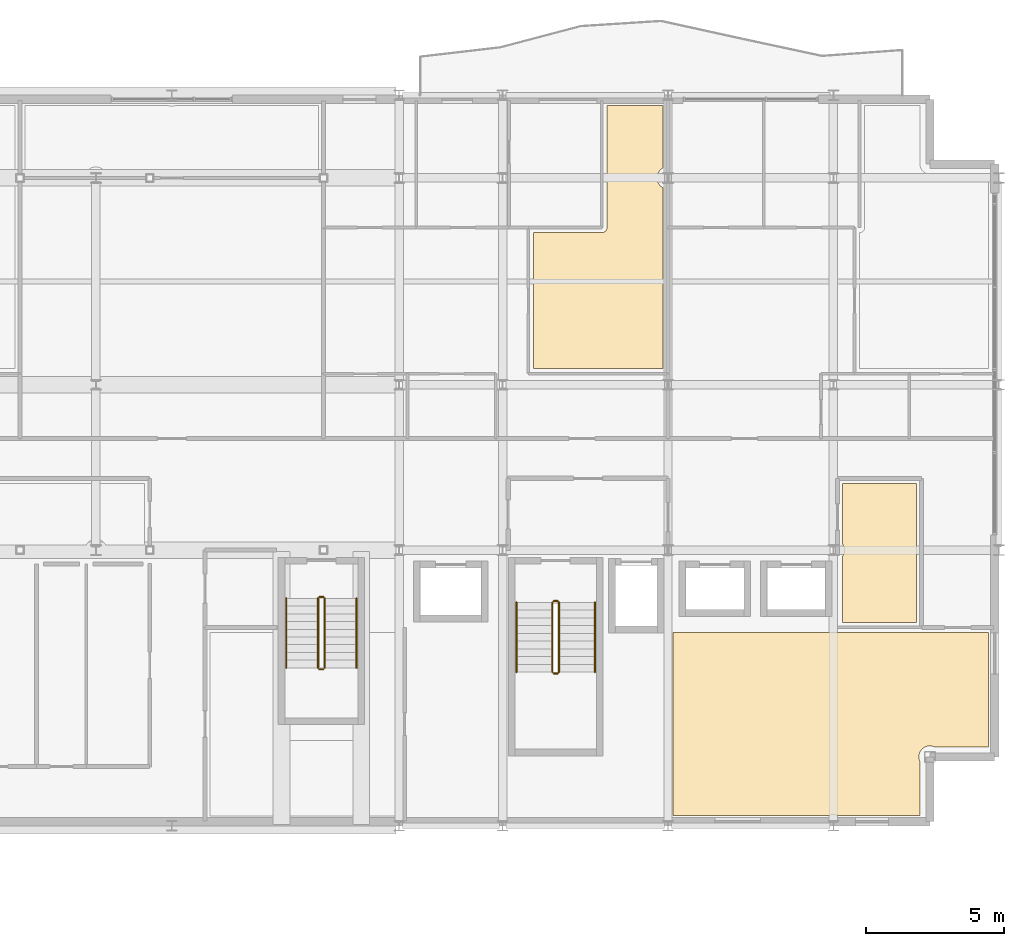
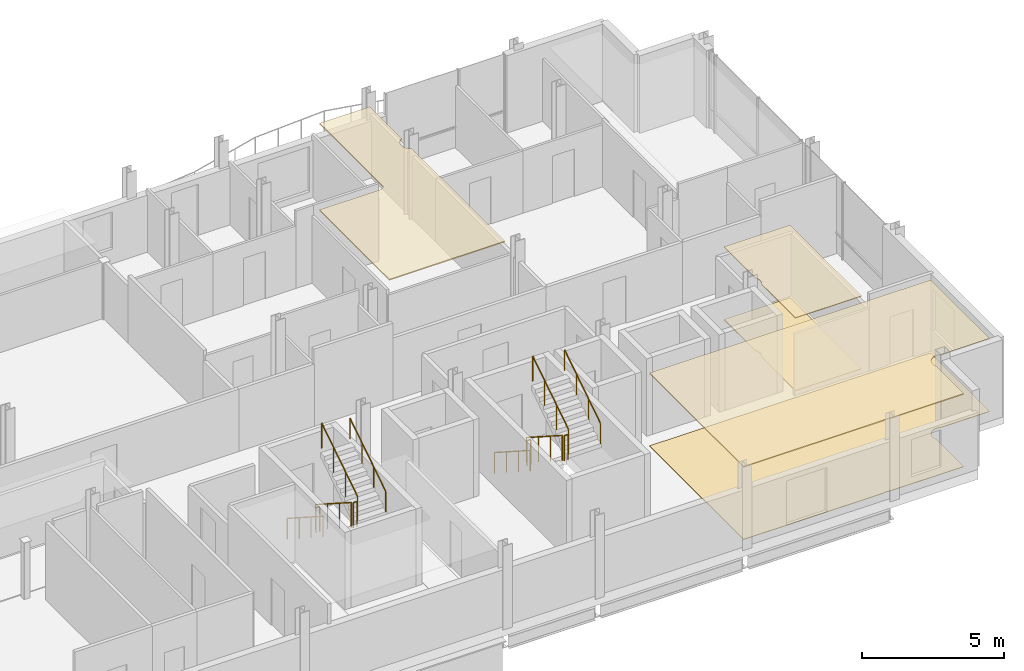
# One storey, part 34 of 35: 12 railings, 5 coverings.
"""IFC4 building model written with IfcOpenShell, lengths in metres."""

from ifc_helpers import new_model, si_unit, direction, frame, origin, origin_2d, place, context, subcontext, project, spatial, polyline, circle, outline, extrude, material, layer, layer_set, type_object, element, save


model = new_model("IFC4")

# Units and contexts
model_context = context("Model", 3, precision=1e-05, world=origin(), true_north=direction((0.0, 1.0)))
body_context = subcontext(model_context, "Body", "Model", "MODEL_VIEW")
ifc_project = project(units=[si_unit("LENGTHUNIT", "METRE"), si_unit("AREAUNIT", "SQUARE_METRE"), si_unit("VOLUMEUNIT", "CUBIC_METRE"), si_unit("PLANEANGLEUNIT", "RADIAN"), si_unit("MASSUNIT", "GRAM", prefix="KILO")], contexts=[model_context])

# Site, building, storey
site_placement = place(None, origin())
site = spatial("IfcSite", under=ifc_project, at=site_placement, CompositionType="ELEMENT")
building_placement = place(site_placement, origin())
building = spatial("IfcBuilding", under=site, at=building_placement, Name="Brevholm Reach", CompositionType="ELEMENT")
storey_placement = place(building_placement, frame((0.0, 0.0, 214.39990234375)))
storey = spatial("IfcBuildingStorey", under=building, at=storey_placement, Name="L65", CompositionType="ELEMENT", Elevation=214.39990234375)

# Coverings
ifc_material_1 = material(Name="Perforated Mineral-Fibre Class-A Acoustic Suspended Ceiling", Category="gypsum")
ifc_layer_1 = layer(ifc_material_1, 0.044921875)
ifc_layer_set_1 = layer_set([ifc_layer_1], Name="Perforated Mineral-Fibre Class-A Acoustic Suspended Ceiling")
covering_type_1 = type_object("IfcCoveringType", Name="COV-CLG-AC", PredefinedType="CEILING", material=ifc_layer_set_1)
covering_1_placement = place(storey_placement, frame((0.0, 0.0, 3.114990234375)))
element("IfcCovering", 1, at=covering_1_placement, inside=storey, type_object=covering_type_1, Name="L65 Suspended Ceiling L65-39", PredefinedType="CEILING", context=body_context, shape_type="SweptSolid", body=[
    extrude(outline(polyline([(48.179931640625, 7.02001953125), (54.11279296875, 7.02001953125), (54.114990234375, 7.01953125), (54.13232421875, 7.016845703125), (54.14990234375, 7.01611328125), (59.6201171875, 7.01611328125), (59.6201171875, 2.860107421875), (57.67333984375, 2.860107421875), (57.653076171875, 2.86962890625), (57.6162109375, 2.8828125), (57.577880859375, 2.892333984375), (57.539306640625, 2.898193359375), (57.5, 2.89990234375), (57.460693359375, 2.898193359375), (57.422119140625, 2.892333984375), (57.3837890625, 2.8828125), (57.346923828125, 2.86962890625), (57.311279296875, 2.852783203125), (57.27783203125, 2.83251953125), (57.24609375, 2.80908203125), (57.21728515625, 2.78271484375), (57.19091796875, 2.75390625), (57.16748046875, 2.72216796875), (57.147216796875, 2.688720703125), (57.13037109375, 2.653076171875), (57.1171875, 2.6162109375), (57.107666015625, 2.577880859375), (57.101806640625, 2.539306640625), (57.10009765625, 2.5), (57.101806640625, 2.460693359375), (57.107666015625, 2.422119140625), (57.1171875, 2.3837890625), (57.13037109375, 2.346923828125), (57.139892578125, 2.32666015625), (57.139892578125, 0.3798828125), (54.123779296875, 0.3798828125), (54.1162109375, 0.3828125), (54.077880859375, 0.392333984375), (54.039306640625, 0.398193359375), (54.0, 0.39990234375), (53.960693359375, 0.398193359375), (53.922119140625, 0.392333984375), (53.8837890625, 0.3828125), (53.876220703125, 0.3798828125), (48.179931640625, 0.3798828125), (48.179931640625, 7.02001953125)])), origin(), (0.0, 0.0, 1.0), 0.045166015625),
])
covering_2_placement = place(storey_placement, frame((0.0, 0.0, 3.114990234375)))
element("IfcCovering", 2, at=covering_2_placement, inside=storey, type_object=covering_type_1, Name="L65 Suspended Ceiling L65-54", PredefinedType="CEILING", context=body_context, shape_type="SweptSolid", body=[
    extrude(outline(polyline([(43.114990234375, 21.51611328125), (45.60400390625, 21.51708984375), (45.62158203125, 21.51806640625), (45.638916015625, 21.520751953125), (45.656005859375, 21.52490234375), (45.672607421875, 21.531005859375), (45.688720703125, 21.53857421875), (45.703857421875, 21.547607421875), (45.718017578125, 21.55810546875), (45.731201171875, 21.56982421875), (45.742919921875, 21.5830078125), (45.75341796875, 21.59716796875), (45.762451171875, 21.6123046875), (45.77001953125, 21.62841796875), (45.77587890625, 21.64501953125), (45.7802734375, 21.662109375), (45.782958984375, 21.679443359375), (45.78369140625, 21.697265625), (45.784912109375, 26.1201171875), (47.820068359375, 26.1201171875), (47.820068359375, 23.856689453125), (47.811279296875, 23.852783203125), (47.77783203125, 23.83251953125), (47.74609375, 23.80908203125), (47.71728515625, 23.78271484375), (47.69091796875, 23.75390625), (47.66748046875, 23.72216796875), (47.647216796875, 23.688720703125), (47.63037109375, 23.653076171875), (47.6171875, 23.6162109375), (47.607666015625, 23.577880859375), (47.601806640625, 23.539306640625), (47.60009765625, 23.5), (47.601806640625, 23.460693359375), (47.607666015625, 23.422119140625), (47.6171875, 23.3837890625), (47.63037109375, 23.346923828125), (47.647216796875, 23.311279296875), (47.66748046875, 23.27783203125), (47.69091796875, 23.24609375), (47.71728515625, 23.21728515625), (47.74609375, 23.19091796875), (47.77783203125, 23.16748046875), (47.811279296875, 23.147216796875), (47.820068359375, 23.143310546875), (47.820068359375, 16.580078125), (43.114990234375, 16.580078125), (43.114990234375, 21.51611328125)])), origin(), (0.0, 0.0, 1.0), 0.045166015625),
])
ifc_material_2 = material(Name="Moisture-Resistant Skimmed Gypsum Plasterboard Ceiling", Category="gypsum")
ifc_layer_2 = layer(ifc_material_2, 0.030029296875)
ifc_layer_set_2 = layer_set([ifc_layer_2], Name="Moisture-Resistant Skimmed Gypsum Plasterboard Ceiling")
covering_type_2 = type_object("IfcCoveringType", Name="COV-CLG-GYP", PredefinedType="CEILING", material=ifc_layer_set_2)
covering_3_placement = place(storey_placement, frame((0.0, 0.0, 3.130126953125)))
element("IfcCovering", 3, at=covering_3_placement, inside=storey, type_object=covering_type_2, Name="L65 Suspended Ceiling L65-21", PredefinedType="CEILING", context=body_context, shape_type="SweptSolid", body=[
    extrude(outline(polyline([(54.330078125, 9.7626953125), (54.33056640625, 9.764892578125), (54.33251953125, 9.777587890625), (54.33251953125, 9.77783203125), (54.352783203125, 9.811279296875), (54.36962890625, 9.846923828125), (54.3828125, 9.8837890625), (54.392333984375, 9.922119140625), (54.398193359375, 9.960693359375), (54.39990234375, 10.0), (54.398193359375, 10.039306640625), (54.392333984375, 10.077880859375), (54.3828125, 10.1162109375), (54.36962890625, 10.153076171875), (54.352783203125, 10.188720703125), (54.333984375, 10.219970703125), (54.333984375, 12.419921875), (57.02001953125, 12.419921875), (57.02001953125, 7.3798828125), (54.330078125, 7.3798828125), (54.330078125, 9.7626953125)])), origin(), (0.0, 0.0, 1.0), 0.030029296875),
])
ifc_material_3 = material(Name="Engineered European Oak Acoustic Plank Flooring", Category="timber")
ifc_layer_3 = layer(ifc_material_3, 0.02197265625)
ifc_layer_set_3 = layer_set([ifc_layer_3], Name="Engineered European Oak Acoustic Plank Flooring")
covering_type_3 = type_object("IfcCoveringType", Name="COV-FLR-OAK", PredefinedType="FLOORING", material=ifc_layer_set_3)
covering_4_placement = place(storey_placement, origin())
element("IfcCovering", 4, at=covering_4_placement, inside=storey, type_object=covering_type_3, Name="L65 Floor Finish L65-39", PredefinedType="FLOORING", context=body_context, shape_type="SweptSolid", body=[
    extrude(outline(polyline([(48.179931640625, 7.02001953125), (54.11279296875, 7.02001953125), (54.114990234375, 7.01953125), (54.13232421875, 7.016845703125), (54.14990234375, 7.01611328125), (59.6201171875, 7.01611328125), (59.6201171875, 2.860107421875), (57.67333984375, 2.860107421875), (57.653076171875, 2.86962890625), (57.6162109375, 2.8828125), (57.577880859375, 2.892333984375), (57.539306640625, 2.898193359375), (57.5, 2.89990234375), (57.460693359375, 2.898193359375), (57.422119140625, 2.892333984375), (57.3837890625, 2.8828125), (57.346923828125, 2.86962890625), (57.311279296875, 2.852783203125), (57.27783203125, 2.83251953125), (57.24609375, 2.80908203125), (57.21728515625, 2.78271484375), (57.19091796875, 2.75390625), (57.16748046875, 2.72216796875), (57.147216796875, 2.688720703125), (57.13037109375, 2.653076171875), (57.1171875, 2.6162109375), (57.107666015625, 2.577880859375), (57.101806640625, 2.539306640625), (57.10009765625, 2.5), (57.101806640625, 2.460693359375), (57.107666015625, 2.422119140625), (57.1171875, 2.3837890625), (57.13037109375, 2.346923828125), (57.139892578125, 2.32666015625), (57.139892578125, 0.3798828125), (54.123779296875, 0.3798828125), (54.1162109375, 0.3828125), (54.077880859375, 0.392333984375), (54.039306640625, 0.398193359375), (54.0, 0.39990234375), (53.960693359375, 0.398193359375), (53.922119140625, 0.392333984375), (53.8837890625, 0.3828125), (53.876220703125, 0.3798828125), (48.179931640625, 0.3798828125), (48.179931640625, 7.02001953125)])), origin(), (0.0, 0.0, 1.0), 0.022216796875),
])
ifc_material_4 = material(Name="Honed Portland-Aggregate Resin Terrazzo Flooring", Category="concrete")
ifc_layer_4 = layer(ifc_material_4, 0.031982421875)
ifc_layer_set_4 = layer_set([ifc_layer_4], Name="Honed Portland-Aggregate Resin Terrazzo Flooring")
covering_type_4 = type_object("IfcCoveringType", Name="COV-FLR-TRZ", PredefinedType="FLOORING", material=ifc_layer_set_4)
covering_5_placement = place(storey_placement, origin())
element("IfcCovering", 5, at=covering_5_placement, inside=storey, type_object=covering_type_4, Name="L65 Floor Finish L65-21", PredefinedType="FLOORING", context=body_context, shape_type="SweptSolid", body=[
    extrude(outline(polyline([(54.330078125, 9.7626953125), (54.33056640625, 9.764892578125), (54.33251953125, 9.777587890625), (54.33251953125, 9.77783203125), (54.352783203125, 9.811279296875), (54.36962890625, 9.846923828125), (54.3828125, 9.8837890625), (54.392333984375, 9.922119140625), (54.398193359375, 9.960693359375), (54.39990234375, 10.0), (54.398193359375, 10.039306640625), (54.392333984375, 10.077880859375), (54.3828125, 10.1162109375), (54.36962890625, 10.153076171875), (54.352783203125, 10.188720703125), (54.333984375, 10.219970703125), (54.333984375, 12.419921875), (57.02001953125, 12.419921875), (57.02001953125, 7.3798828125), (54.330078125, 7.3798828125), (54.330078125, 9.7626953125)])), origin(), (0.0, 0.0, 1.0), 0.031982421875),
])

# Railings
ifc_material_5 = material(Name="Brushed Stainless Steel EN 1.4401 Continuous Handrail", Category="steel")
railing_type_1 = type_object("IfcRailingType", Name="RAL-HND-950", PredefinedType="HANDRAIL", material=ifc_material_5)
railing_1_placement = place(storey_placement, frame((42.5, 8.10009765625, 0.18017578125)))
element("IfcRailing", 6, at=railing_1_placement, inside=storey, type_object=railing_type_1, Name="L65 ST-2 stair handrail 1", PredefinedType="HANDRAIL", context=body_context, shape_type="SweptSolid", body=[
    extrude(circle(Radius=0.02392578125, at=origin_2d()), frame((0.0, 0.0, 0.8857421875), z_axis=(0.0, -0.841199657755, 0.540724639528), x_axis=(1.0, 0.0, 0.0)), (0.0, 0.0, 1.0), 2.995849609375),
    extrude(circle(Radius=0.02099609375, at=origin_2d()), origin(), (0.0, 0.0, 1.0), 0.86181640625),
    extrude(circle(Radius=0.02099609375, at=origin_2d()), frame((0.0, -0.840087890625, 0.5400390625)), (0.0, 0.0, 1.0), 0.86181640625),
    extrude(circle(Radius=0.02099609375, at=origin_2d()), frame((0.0, -1.679931640625, 1.079833984375)), (0.0, 0.0, 1.0), 0.86181640625),
    extrude(circle(Radius=0.02099609375, at=origin_2d()), frame((0.0, -2.52001953125, 1.619873046875)), (0.0, 0.0, 1.0), 0.86181640625),
])
railing_2_placement = place(storey_placement, frame((45.35009765625, 5.580078125, 1.97998046875)))
element("IfcRailing", 7, at=railing_2_placement, inside=storey, type_object=railing_type_1, Name="L65 ST-2 stair handrail 2", PredefinedType="HANDRAIL", context=body_context, shape_type="SweptSolid", body=[
    extrude(circle(Radius=0.02392578125, at=origin_2d()), frame((0.0, 0.0, 0.8857421875), z_axis=(0.0, 0.841162588446, 0.540782303519), x_axis=(-1.0, 0.0, 0.0)), (0.0, 0.0, 1.0), 2.995849609375),
    extrude(circle(Radius=0.02099609375, at=origin_2d()), origin(), (0.0, 0.0, 1.0), 0.86181640625),
    extrude(circle(Radius=0.02099609375, at=origin_2d()), frame((0.0, 0.840087890625, 0.5400390625)), (0.0, 0.0, 1.0), 0.86181640625),
    extrude(circle(Radius=0.02099609375, at=origin_2d()), frame((0.0, 1.679931640625, 1.080078125)), (0.0, 0.0, 1.0), 0.86181640625),
    extrude(circle(Radius=0.02099609375, at=origin_2d()), frame((0.0, 2.52001953125, 1.6201171875)), (0.0, 0.0, 1.0), 0.86181640625),
])
railing_3_placement = place(storey_placement, frame((34.14990234375, 8.25, 0.18017578125)))
element("IfcRailing", 8, at=railing_3_placement, inside=storey, type_object=railing_type_1, Name="L65 ST-3 stair handrail 1", PredefinedType="HANDRAIL", context=body_context, shape_type="SweptSolid", body=[
    extrude(circle(Radius=0.02392578125, at=origin_2d()), frame((0.0, 0.0, 0.8857421875), z_axis=(0.0, -0.841199657755, 0.540724639528), x_axis=(1.0, 0.0, 0.0)), (0.0, 0.0, 1.0), 2.995849609375),
    extrude(circle(Radius=0.02099609375, at=origin_2d()), origin(), (0.0, 0.0, 1.0), 0.86181640625),
    extrude(circle(Radius=0.02099609375, at=origin_2d()), frame((0.0, -0.840087890625, 0.5400390625)), (0.0, 0.0, 1.0), 0.86181640625),
    extrude(circle(Radius=0.02099609375, at=origin_2d()), frame((0.0, -1.679931640625, 1.079833984375)), (0.0, 0.0, 1.0), 0.86181640625),
    extrude(circle(Radius=0.02099609375, at=origin_2d()), frame((0.0, -2.52001953125, 1.619873046875)), (0.0, 0.0, 1.0), 0.86181640625),
])
railing_4_placement = place(storey_placement, frame((36.699951171875, 5.72998046875, 1.97998046875)))
element("IfcRailing", 9, at=railing_4_placement, inside=storey, type_object=railing_type_1, Name="L65 ST-3 stair handrail 2", PredefinedType="HANDRAIL", context=body_context, shape_type="SweptSolid", body=[
    extrude(circle(Radius=0.02392578125, at=origin_2d()), frame((0.0, 0.0, 0.8857421875), z_axis=(0.0, 0.841162588446, 0.540782303519), x_axis=(-1.0, 0.0, 0.0)), (0.0, 0.0, 1.0), 2.995849609375),
    extrude(circle(Radius=0.02099609375, at=origin_2d()), origin(), (0.0, 0.0, 1.0), 0.86181640625),
    extrude(circle(Radius=0.02099609375, at=origin_2d()), frame((0.0, 0.840087890625, 0.5400390625)), (0.0, 0.0, 1.0), 0.86181640625),
    extrude(circle(Radius=0.02099609375, at=origin_2d()), frame((0.0, 1.679931640625, 1.080078125)), (0.0, 0.0, 1.0), 0.86181640625),
    extrude(circle(Radius=0.02099609375, at=origin_2d()), frame((0.0, 2.52001953125, 1.6201171875)), (0.0, 0.0, 1.0), 0.86181640625),
])
ifc_material_6 = material(Name="Painted Tubular Galvanised Steel S275JR Stair Guard", Category="steel")
railing_type_2 = type_object("IfcRailingType", Name="RAL-STG-1120", PredefinedType="BALUSTRADE", material=ifc_material_6)
railing_5_placement = place(storey_placement, frame((43.800048828125, 8.10009765625, 0.18017578125)))
element("IfcRailing", 10, at=railing_5_placement, inside=storey, type_object=railing_type_2, Name="L65 ST-2 stair guard 1", PredefinedType="BALUSTRADE", context=body_context, shape_type="SweptSolid", body=[
    extrude(circle(Radius=0.02392578125, at=origin_2d()), frame((0.0, 0.0, 1.076171875), z_axis=(0.0, -0.841199657755, 0.540724639528), x_axis=(1.0, 0.0, 0.0)), (0.0, 0.0, 1.0), 2.995849609375),
    extrude(circle(Radius=0.02099609375, at=origin_2d()), origin(), (0.0, 0.0, 1.0), 1.052001953125),
    extrude(circle(Radius=0.02099609375, at=origin_2d()), frame((0.0, -0.840087890625, 0.5400390625)), (0.0, 0.0, 1.0), 1.052001953125),
    extrude(circle(Radius=0.02099609375, at=origin_2d()), frame((0.0, -1.679931640625, 1.079833984375)), (0.0, 0.0, 1.0), 1.052001953125),
    extrude(circle(Radius=0.02099609375, at=origin_2d()), frame((0.0, -2.52001953125, 1.619873046875)), (0.0, 0.0, 1.0), 1.052001953125),
])
railing_6_placement = place(storey_placement, frame((43.85009765625, 5.530029296875, 1.800048828125)))
element("IfcRailing", 11, at=railing_6_placement, inside=storey, type_object=railing_type_2, Name="L65 ST-2 stair guard 2", PredefinedType="BALUSTRADE", context=body_context, shape_type="SweptSolid", body=[
    extrude(circle(Radius=0.02392578125, at=origin_2d()), frame((0.0, 0.0, 1.076171875), z_axis=(1.0, 0.0, 0.0), x_axis=(0.0, 1.0, 0.0)), (0.0, 0.0, 1.0), 0.14990234375),
    extrude(circle(Radius=0.02099609375, at=origin_2d()), origin(), (0.0, 0.0, 1.0), 1.052001953125),
    extrude(circle(Radius=0.02099609375, at=origin_2d()), frame((0.14990234375, 0.0, 0.0)), (0.0, 0.0, 1.0), 1.052001953125),
])
railing_7_placement = place(storey_placement, frame((44.050048828125, 5.580078125, 1.97998046875)))
element("IfcRailing", 12, at=railing_7_placement, inside=storey, type_object=railing_type_2, Name="L65 ST-2 stair guard 3", PredefinedType="BALUSTRADE", context=body_context, shape_type="SweptSolid", body=[
    extrude(circle(Radius=0.02392578125, at=origin_2d()), frame((0.0, 0.0, 1.076171875), z_axis=(0.0, 0.841162588446, 0.540782303519), x_axis=(-1.0, 0.0, 0.0)), (0.0, 0.0, 1.0), 2.995849609375),
    extrude(circle(Radius=0.02099609375, at=origin_2d()), origin(), (0.0, 0.0, 1.0), 1.052001953125),
    extrude(circle(Radius=0.02099609375, at=origin_2d()), frame((0.0, 0.840087890625, 0.5400390625)), (0.0, 0.0, 1.0), 1.052001953125),
    extrude(circle(Radius=0.02099609375, at=origin_2d()), frame((0.0, 1.679931640625, 1.080078125)), (0.0, 0.0, 1.0), 1.052001953125),
    extrude(circle(Radius=0.02099609375, at=origin_2d()), frame((0.0, 2.52001953125, 1.6201171875)), (0.0, 0.0, 1.0), 1.052001953125),
])
railing_8_placement = place(storey_placement, frame((43.85009765625, 8.14990234375, 0.0)))
element("IfcRailing", 13, at=railing_8_placement, inside=storey, type_object=railing_type_2, Name="L65 ST-2 stair guard 4", PredefinedType="BALUSTRADE", context=body_context, shape_type="SweptSolid", body=[
    extrude(circle(Radius=0.02392578125, at=origin_2d()), frame((0.0, 0.0, 1.076171875), z_axis=(1.0, 0.0, 0.0), x_axis=(0.0, 1.0, 0.0)), (0.0, 0.0, 1.0), 0.14990234375),
    extrude(circle(Radius=0.02099609375, at=origin_2d()), origin(), (0.0, 0.0, 1.0), 1.052001953125),
    extrude(circle(Radius=0.02099609375, at=origin_2d()), frame((0.14990234375, 0.0, 0.0)), (0.0, 0.0, 1.0), 1.052001953125),
])
railing_9_placement = place(storey_placement, frame((35.300048828125, 8.25, 0.18017578125)))
element("IfcRailing", 14, at=railing_9_placement, inside=storey, type_object=railing_type_2, Name="L65 ST-3 stair guard 1", PredefinedType="BALUSTRADE", context=body_context, shape_type="SweptSolid", body=[
    extrude(circle(Radius=0.02392578125, at=origin_2d()), frame((0.0, 0.0, 1.076171875), z_axis=(0.0, -0.841199657755, 0.540724639528), x_axis=(1.0, 0.0, 0.0)), (0.0, 0.0, 1.0), 2.995849609375),
    extrude(circle(Radius=0.02099609375, at=origin_2d()), origin(), (0.0, 0.0, 1.0), 1.052001953125),
    extrude(circle(Radius=0.02099609375, at=origin_2d()), frame((0.0, -0.840087890625, 0.5400390625)), (0.0, 0.0, 1.0), 1.052001953125),
    extrude(circle(Radius=0.02099609375, at=origin_2d()), frame((0.0, -1.679931640625, 1.079833984375)), (0.0, 0.0, 1.0), 1.052001953125),
    extrude(circle(Radius=0.02099609375, at=origin_2d()), frame((0.0, -2.52001953125, 1.619873046875)), (0.0, 0.0, 1.0), 1.052001953125),
])
railing_10_placement = place(storey_placement, frame((35.35009765625, 5.679931640625, 1.800048828125)))
element("IfcRailing", 15, at=railing_10_placement, inside=storey, type_object=railing_type_2, Name="L65 ST-3 stair guard 2", PredefinedType="BALUSTRADE", context=body_context, shape_type="SweptSolid", body=[
    extrude(circle(Radius=0.02392578125, at=origin_2d()), frame((0.0, 0.0, 1.076171875), z_axis=(1.0, 0.0, 0.0), x_axis=(0.0, 1.0, 0.0)), (0.0, 0.0, 1.0), 0.14990234375),
    extrude(circle(Radius=0.02099609375, at=origin_2d()), origin(), (0.0, 0.0, 1.0), 1.052001953125),
    extrude(circle(Radius=0.02099609375, at=origin_2d()), frame((0.14990234375, 0.0, 0.0)), (0.0, 0.0, 1.0), 1.052001953125),
])
railing_11_placement = place(storey_placement, frame((35.550048828125, 5.72998046875, 1.97998046875)))
element("IfcRailing", 16, at=railing_11_placement, inside=storey, type_object=railing_type_2, Name="L65 ST-3 stair guard 3", PredefinedType="BALUSTRADE", context=body_context, shape_type="SweptSolid", body=[
    extrude(circle(Radius=0.02392578125, at=origin_2d()), frame((0.0, 0.0, 1.076171875), z_axis=(0.0, 0.841162588446, 0.540782303519), x_axis=(-1.0, 0.0, 0.0)), (0.0, 0.0, 1.0), 2.995849609375),
    extrude(circle(Radius=0.02099609375, at=origin_2d()), origin(), (0.0, 0.0, 1.0), 1.052001953125),
    extrude(circle(Radius=0.02099609375, at=origin_2d()), frame((0.0, 0.840087890625, 0.5400390625)), (0.0, 0.0, 1.0), 1.052001953125),
    extrude(circle(Radius=0.02099609375, at=origin_2d()), frame((0.0, 1.679931640625, 1.080078125)), (0.0, 0.0, 1.0), 1.052001953125),
    extrude(circle(Radius=0.02099609375, at=origin_2d()), frame((0.0, 2.52001953125, 1.6201171875)), (0.0, 0.0, 1.0), 1.052001953125),
])
railing_12_placement = place(storey_placement, frame((35.35009765625, 8.300048828125, 0.0)))
element("IfcRailing", 17, at=railing_12_placement, inside=storey, type_object=railing_type_2, Name="L65 ST-3 stair guard 4", PredefinedType="BALUSTRADE", context=body_context, shape_type="SweptSolid", body=[
    extrude(circle(Radius=0.02392578125, at=origin_2d()), frame((0.0, 0.0, 1.076171875), z_axis=(1.0, 0.0, 0.0), x_axis=(0.0, 1.0, 0.0)), (0.0, 0.0, 1.0), 0.14990234375),
    extrude(circle(Radius=0.02099609375, at=origin_2d()), origin(), (0.0, 0.0, 1.0), 1.052001953125),
    extrude(circle(Radius=0.02099609375, at=origin_2d()), frame((0.14990234375, 0.0, 0.0)), (0.0, 0.0, 1.0), 1.052001953125),
])

save(model, "model.ifc")
